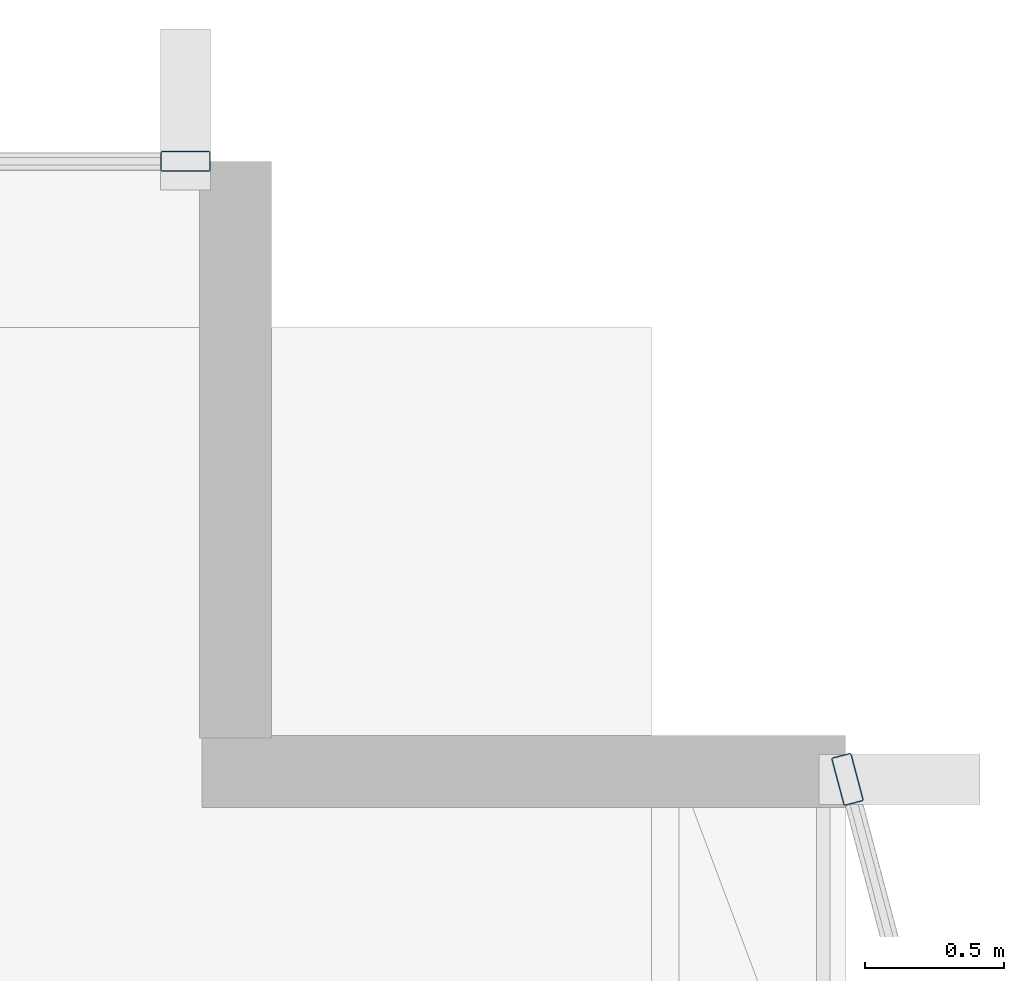
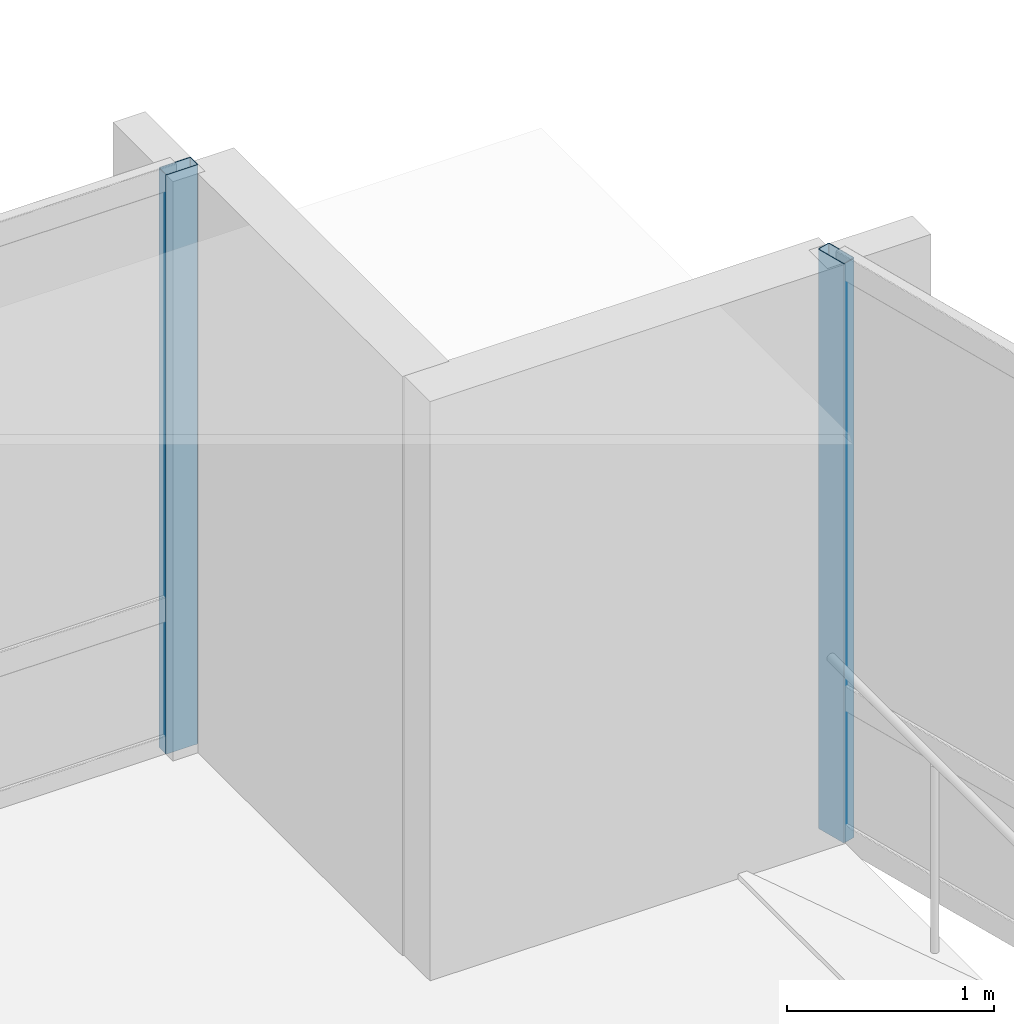
# One storey, part 14 of 27: 2 members, 2 elements without a shape of their own.
"""IFC4 building model written with IfcOpenShell, lengths in metres."""

from ifc_helpers import new_model, si_unit, direction, frame, origin, origin_2d, place, context, subcontext, project, spatial, hollow_rectangle, extrude, material, layer, layer_set, material_profile, profile_set, type_object, element, aggregate, save


model = new_model("IFC4")

# Units and contexts
model_context = context("Model", 3, precision=1e-05, world=origin(), true_north=direction((0.0, 1.0)))
body_context = subcontext(model_context, "Body", "Model", "MODEL_VIEW")
ifc_project = project(units=[si_unit("LENGTHUNIT", "METRE"), si_unit("AREAUNIT", "SQUARE_METRE"), si_unit("VOLUMEUNIT", "CUBIC_METRE"), si_unit("PLANEANGLEUNIT", "RADIAN"), si_unit("MASSUNIT", "GRAM", prefix="KILO")], contexts=[model_context])

# Site, building, storey
site_placement = place(None, origin())
site = spatial("IfcSite", under=ifc_project, at=site_placement, CompositionType="ELEMENT")
building_placement = place(site_placement, origin())
building = spatial("IfcBuilding", under=site, at=building_placement, Name="Solvaryn Broadcast Tower", CompositionType="ELEMENT")
storey_placement = place(building_placement, frame((0.0, 0.0, 185.300048828125)))
storey = spatial("IfcBuildingStorey", under=building, at=storey_placement, Name="L46", CompositionType="ELEMENT", Elevation=185.300048828125)

# Curtain wall, member
ifc_material_1 = material(Name="Aluminium and Terracotta Unitised Curtain Wall", Category="masonry")
ifc_layer = layer(ifc_material_1, 0.199951171875)
ifc_layer_set = layer_set([ifc_layer], Name="CW-SYS2-LOWMID")
curtain_wall_type = type_object("IfcCurtainWallType", Name="CW-SYS2-LOWMID", PredefinedType="NOTDEFINED", material=ifc_layer_set)
curtain_wall_1_placement = place(storey_placement, origin())
curtain_wall_1 = element("IfcCurtainWall", 1, at=curtain_wall_1_placement, inside=storey, type_object=curtain_wall_type, Name="L46 Curtain Wall ET1", PredefinedType="NOTDEFINED")
ifc_material_2 = material(Name="Anodised Aluminium 6063-T6", Category="aluminium")
ifc_material_profile = material_profile(ifc_material_2, hollow_rectangle(XDim=0.074951171875, YDim=0.179931640625, WallThickness=0.00390625, InnerFilletRadius=0.00390625, OuterFilletRadius=0.008056640625, at=origin_2d()))
ifc_profile_set = profile_set([ifc_material_profile], Name="Anodised Aluminium 6063-T6")
member_type = type_object("IfcMemberType", Name="CW-MUL-180", PredefinedType="MULLION", material=ifc_profile_set)
member_1_placement = place(storey_placement, frame((54.007568359375, 24.77099609375, 0.0), z_axis=(0.0, 0.0, 1.0), x_axis=(0.966705227863, 0.25589256031, 0.0)))
member_1 = element("IfcMember", 2, at=member_1_placement, type_object=member_type, Name="CWS2 mullion 1", PredefinedType="MULLION", context=body_context, shape_type="SweptSolid", body=[
    extrude(hollow_rectangle(XDim=0.074951171875, YDim=0.179931640625, WallThickness=0.00390625, InnerFilletRadius=0.00390625, OuterFilletRadius=0.008056640625, at=origin_2d()), origin(), (0.0, 0.0, 1.0), 3.419921875),
])
aggregate(curtain_wall_1, [member_1])

curtain_wall_2_placement = place(storey_placement, origin())
curtain_wall_2 = element("IfcCurtainWall", 3, at=curtain_wall_2_placement, inside=storey, type_object=curtain_wall_type, Name="L46 Curtain Wall IH", PredefinedType="NOTDEFINED")
member_2_placement = place(storey_placement, frame((51.6201171875, 27.0, 0.0), z_axis=(0.0, 0.0, 1.0), x_axis=(0.0, 1.0, 0.0)))
member_2 = element("IfcMember", 4, at=member_2_placement, type_object=member_type, Name="CWS2 mullion 2", PredefinedType="MULLION", context=body_context, shape_type="SweptSolid", body=[
    extrude(hollow_rectangle(XDim=0.074951171875, YDim=0.179931640625, WallThickness=0.00390625, InnerFilletRadius=0.00390625, OuterFilletRadius=0.008056640625, at=origin_2d()), origin(), (0.0, 0.0, 1.0), 3.419921875),
])
aggregate(curtain_wall_2, [member_2])

save(model, "model.ifc")
